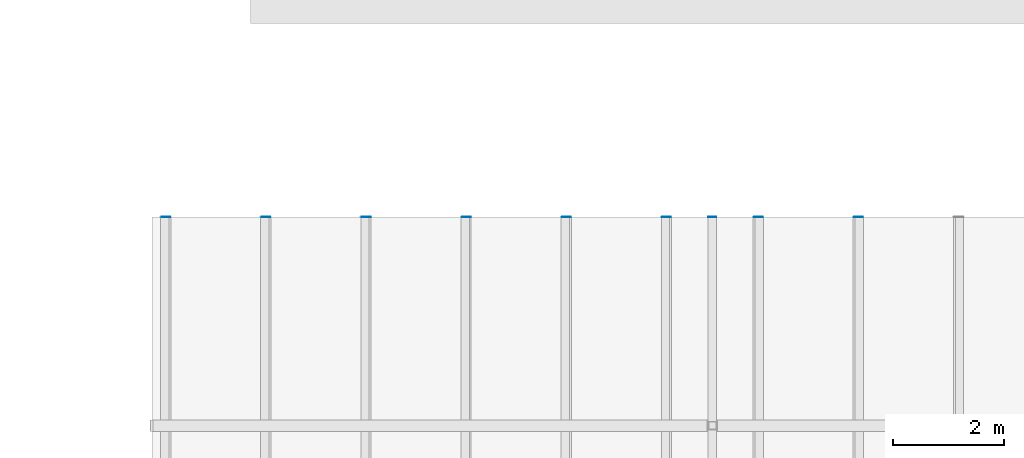
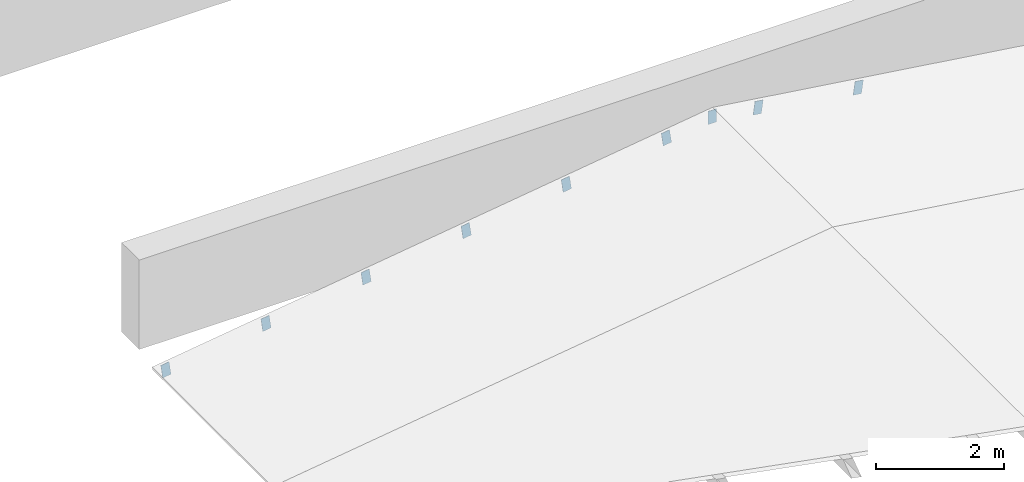
# One storey, part 39 of 52: 9 discrete accessories.
"""IFC4 building model written with IfcOpenShell, lengths in metres."""

from ifc_helpers import new_model, si_unit, direction, frame, origin, origin_2d, place, context, subcontext, project, spatial, rectangle, extrude, material, material_profile, profile_set, type_object, element, save


model = new_model("IFC4")

# Units and contexts
model_context = context("Model", 3, precision=1e-05, world=origin(), true_north=direction((0.0, 1.0)))
body_context = subcontext(model_context, "Body", "Model", "MODEL_VIEW")
ifc_project = project(units=[si_unit("LENGTHUNIT", "METRE"), si_unit("AREAUNIT", "SQUARE_METRE"), si_unit("VOLUMEUNIT", "CUBIC_METRE"), si_unit("PLANEANGLEUNIT", "RADIAN"), si_unit("MASSUNIT", "GRAM", prefix="KILO")], contexts=[model_context])

# Site, building, storey
site_placement = place(None, origin())
site = spatial("IfcSite", under=ifc_project, at=site_placement, CompositionType="ELEMENT")
building_placement = place(site_placement, origin())
building = spatial("IfcBuilding", under=site, at=building_placement, Name="Cour d'Honneur Mobility Palace", CompositionType="ELEMENT")
storey_placement = place(building_placement, frame((0.0, 0.0, 23.0)))
storey = spatial("IfcBuildingStorey", under=building, at=storey_placement, Name="L06", CompositionType="ELEMENT", Elevation=23.0)

# Discrete accessories
ifc_material = material(Name="Steel S355", Category="steel")
ifc_material_profile = material_profile(ifc_material, rectangle(XDim=0.14990234375, YDim=0.25, at=origin_2d()), Name="PL 250x150x10")
ifc_profile_set = profile_set([ifc_material_profile], Name="Steel S355")
discrete_accessory_type = type_object("IfcDiscreteAccessoryType", Name="End cap plate RHS 250x150x10", PredefinedType="USERDEFINED", material=ifc_profile_set)
for number, where, z_axis, x_axis, name in (
    (1, (143.77490234375, 103.64990234375, 0.55419921875), (0.0, 1.0, 0.0), (-0.990349673475, 0.0, -0.138591212736), "End cap plate EC-TU-S1.4-2"),
    (2, (145.574951171875, 103.64990234375, 0.80615234375), (0.0, 1.0, 0.0), (-0.990349673475, 0.0, -0.138591212736), "End cap plate EC-TU-S2.4-2"),
    (3, (147.375, 103.64990234375, 1.05810546875), (0.0, 1.0, 0.0), (-0.990349673475, 0.0, -0.138591212736), "End cap plate EC-TU-S3.4-2"),
    (4, (149.175048828125, 103.64990234375, 1.309814453125), (0.0, 1.0, 0.0), (-0.990349673475, 0.0, -0.138591212736), "End cap plate EC-TU-S4.4-2"),
    (5, (150.97509765625, 103.64990234375, 1.561767578125), (0.0, 1.0, 0.0), (-0.990349673475, 0.0, -0.138591212736), "End cap plate EC-TU-S5.4-2"),
    (6, (152.77490234375, 103.64990234375, 1.813720703125), (0.0, 1.0, 0.0), (-0.990349673475, 0.0, -0.138591212736), "End cap plate EC-TU-S6.4-2"),
    (7, (156.22509765625, 103.64990234375, 1.561767578125), (0.0, 1.0, 0.0), (-0.990349673475, 0.0, 0.138591212736), "End cap plate EC-TU-S11.4-2"),
    (8, (154.425048828125, 103.64990234375, 1.813720703125), (0.0, 1.0, 0.0), (-0.990349673475, 0.0, 0.138591212736), "End cap plate EC-TU-S12.4-2"),
    (9, (153.60009765625, 103.64990234375, 1.927978515625), (0.0, 1.0, 0.0), (-1.0, 0.0, 0.0), "End cap plate EC-TU-S13.4-2"),
):
    element("IfcDiscreteAccessory", number, at=place(storey_placement, frame(where, z_axis=z_axis, x_axis=x_axis)), inside=storey, type_object=discrete_accessory_type, Name=name, ObjectType="END CAP PLATE", PredefinedType="USERDEFINED", context=body_context, shape_type="SweptSolid", body=[
        extrude(rectangle(XDim=0.14990234375, YDim=0.25, at=origin_2d()), origin(), (0.0, 0.0, 1.0), 0.010009765625),
    ])

save(model, "model.ifc")
